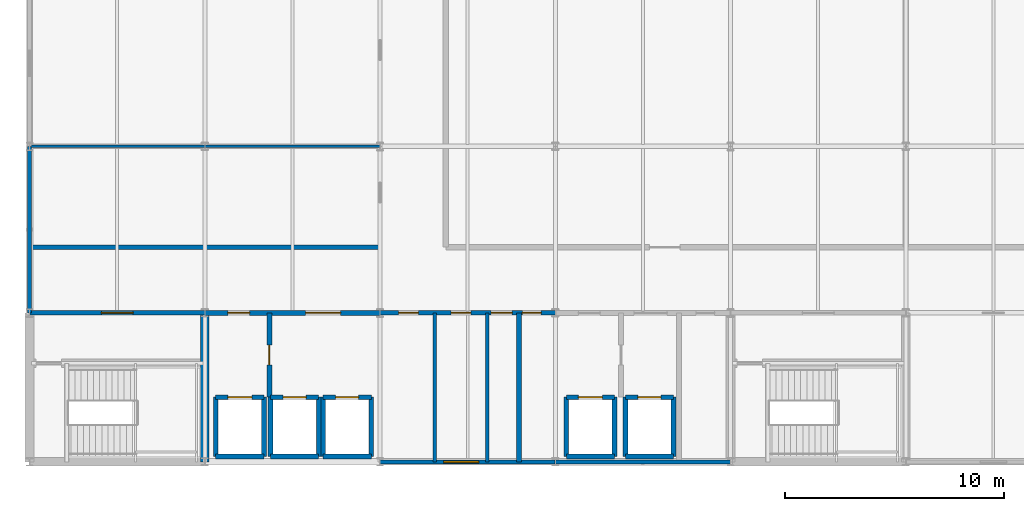
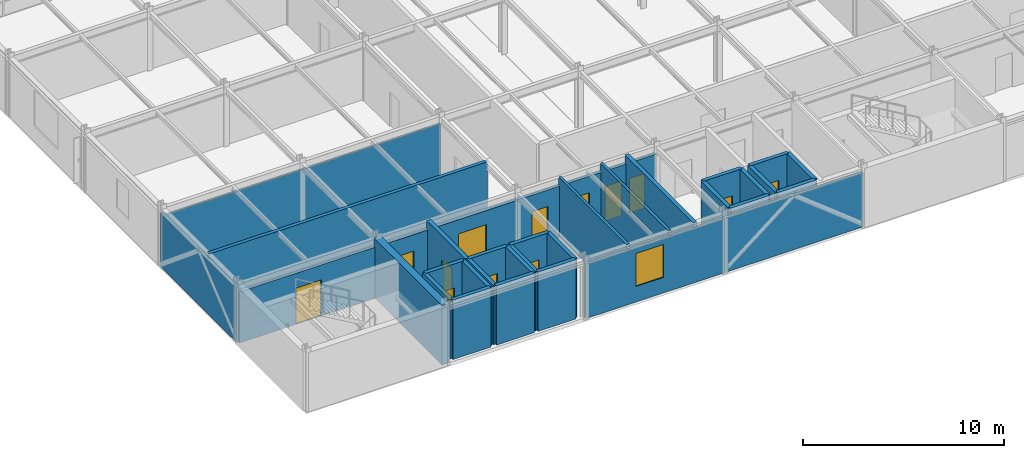
# One storey, part 11 of 15: 33 walls, 13 doors, 1 window, 14 openings.
"""IFC4 building model written with IfcOpenShell, lengths in metres."""

from ifc_helpers import new_model, si_unit, direction, frame, frame_2d, origin, place, context, subcontext, project, spatial, rectangle, extrude, material, layer, layer_set, type_object, element, fill, save


model = new_model("IFC4")

# Units and contexts
model_context = context("Model", 3, precision=1e-05, world=origin(), true_north=direction((0.0, 1.0)))
body_context = subcontext(model_context, "Body", "Model", "MODEL_VIEW")
ifc_project = project(units=[si_unit("LENGTHUNIT", "METRE"), si_unit("AREAUNIT", "SQUARE_METRE"), si_unit("VOLUMEUNIT", "CUBIC_METRE"), si_unit("PLANEANGLEUNIT", "RADIAN"), si_unit("MASSUNIT", "GRAM", prefix="KILO")], contexts=[model_context])

# Site, building, storey
site_placement = place(None, origin())
site = spatial("IfcSite", under=ifc_project, at=site_placement, CompositionType="ELEMENT")
building_placement = place(site_placement, origin())
building = spatial("IfcBuilding", under=site, at=building_placement, Name="Shalkamar Park Central Library", CompositionType="ELEMENT")
storey_placement = place(building_placement, frame((0.0, 0.0, 47.699951171875)))
storey = spatial("IfcBuildingStorey", under=building, at=storey_placement, Name="L12", CompositionType="ELEMENT", Elevation=47.699951171875)

# Wall, opening, door
ifc_material_1 = material(Name="Reinforced fire-compartment masonry wall", Category="masonry")
ifc_layer_1 = layer(ifc_material_1, 0.239990234375)
ifc_layer_set_1 = layer_set([ifc_layer_1], Name="CompartmentWall_240")
wall_type_1 = type_object("IfcWallType", Name="Compartment Wall 240", PredefinedType="PARTITIONING", material=ifc_layer_set_1)
wall_1_placement = place(storey_placement, frame((175.949951171875, 251.35009765625, 0.0), z_axis=(0.0, 0.0, 1.0), x_axis=(0.0, 1.0, 0.0)))
wall_1 = element("IfcWall", 1, at=wall_1_placement, inside=storey, type_object=wall_type_1, Name="Interior Partition WL-INT-L12-001", PredefinedType="PARTITIONING", context=body_context, shape_type="SweptSolid", body=[
    extrude(rectangle(XDim=3.849853515625, YDim=0.239990234375, at=frame_2d((1.9248046875, 0.0))), origin(), (0.0, 0.0, 1.0), 3.610107421875),
])
opening_1_placement = place(wall_1_placement, frame((1.47509765625, 0.0, 0.0)))
opening_1 = element("IfcOpeningElement", 2, at=opening_1_placement, cuts=wall_1, Name="Opening DR-L12-001", PredefinedType="OPENING", context=body_context, shape_type="SweptSolid", body=[
    extrude(rectangle(XDim=0.89990234375, YDim=2.10009765625, at=frame_2d((0.449951171875, 1.050048828125))), frame((0.0, 0.134765625, 0.0), z_axis=(0.0, -1.0, 0.0), x_axis=(1.0, 0.0, 0.0)), (0.0, 0.0, 1.0), 0.269775390625),
])
ifc_material_2 = material(Name="Steel S355", Category="steel")
door_type_1 = type_object("IfcDoorType", Name="Fire Door Single 900x2100", OperationType="NOTDEFINED", PredefinedType="DOOR", material=ifc_material_2)
door_1_placement = place(opening_1_placement, origin())
door_1 = element("IfcDoor", 3, at=door_1_placement, inside=storey, type_object=door_type_1, Name="Fire Lobby Interconnect Door", OperationType="SINGLE_SWING_LEFT", OverallHeight=2.10009765625, OverallWidth=0.89990234375, PredefinedType="DOOR", context=body_context, shape_type="SweptSolid", body=[
    extrude(rectangle(XDim=0.89990234375, YDim=2.10009765625, at=frame_2d((0.449951171875, 1.050048828125))), frame((0.0, 0.02490234375, 0.0), z_axis=(0.0, -1.0, 0.0), x_axis=(1.0, 0.0, 0.0)), (0.0, 0.0, 1.0), 0.050048828125),
])
fill(opening_1, door_1)

# Wall, openings, doors
wall_2_placement = place(storey_placement, frame((173.0, 255.199951171875, 0.0), z_axis=(0.0, 0.0, 1.0), x_axis=(1.0, 0.0, 0.0)))
wall_2 = element("IfcWall", 4, at=wall_2_placement, inside=storey, type_object=wall_type_1, Name="Interior Partition WL-INT-L12-007", PredefinedType="PARTITIONING", context=body_context, shape_type="SweptSolid", body=[
    extrude(rectangle(XDim=8.0, YDim=0.239990234375, at=frame_2d((4.0, 0.0))), origin(), (0.0, 0.0, 1.0), 3.108154296875),
])
opening_2_placement = place(wall_2_placement, frame((1.050048828125, 0.0, 0.0)))
opening_2 = element("IfcOpeningElement", 5, at=opening_2_placement, cuts=wall_2, Name="Opening DR-L12-003", PredefinedType="OPENING", context=body_context, shape_type="SweptSolid", body=[
    extrude(rectangle(XDim=1.0, YDim=2.10009765625, at=frame_2d((0.5, 1.050048828125))), frame((0.0, 0.134765625, 0.0), z_axis=(0.0, -1.0, 0.0), x_axis=(1.0, 0.0, 0.0)), (0.0, 0.0, 1.0), 0.269775390625),
])
opening_3_placement = place(wall_2_placement, frame((4.60009765625, 0.0, 0.0)))
opening_3 = element("IfcOpeningElement", 6, at=opening_3_placement, cuts=wall_2, Name="Opening DR-L12-004", PredefinedType="OPENING", context=body_context, shape_type="SweptSolid", body=[
    extrude(rectangle(XDim=1.60009765625, YDim=2.25, at=frame_2d((0.800048828125, 1.125))), frame((0.0, 0.134765625, 0.0), z_axis=(0.0, -1.0, 0.0), x_axis=(1.0, 0.0, 0.0)), (0.0, 0.0, 1.0), 0.269775390625),
])
door_type_2 = type_object("IfcDoorType", Name="Fire Door Single 1000x2100", OperationType="NOTDEFINED", PredefinedType="DOOR", material=ifc_material_2)
door_2_placement = place(opening_2_placement, origin())
door_2 = element("IfcDoor", 7, at=door_2_placement, inside=storey, type_object=door_type_2, Name="West Firefighting Lobby Door", OperationType="SINGLE_SWING_LEFT", OverallHeight=2.10009765625, OverallWidth=1.0, PredefinedType="DOOR", context=body_context, shape_type="SweptSolid", body=[
    extrude(rectangle(XDim=1.0, YDim=2.10009765625, at=frame_2d((0.5, 1.050048828125))), frame((0.0, 0.02490234375, 0.0), z_axis=(0.0, -1.0, 0.0), x_axis=(1.0, 0.0, 0.0)), (0.0, 0.0, 1.0), 0.050048828125),
])
fill(opening_2, door_2)
door_type_3 = type_object("IfcDoorType", Name="Interior Door Double 1600x2250", OperationType="DOUBLE_DOOR_SINGLE_SWING", PredefinedType="DOOR", material=ifc_material_2)
door_3_placement = place(opening_3_placement, frame((1.60009765625, 0.0, 0.0), z_axis=(0.0, 0.0, 1.0), x_axis=(-1.0, 0.0, 0.0)))
door_3 = element("IfcDoor", 8, at=door_3_placement, inside=storey, type_object=door_type_3, Name="West Lift Lobby Entrance", OperationType="DOUBLE_DOOR_SINGLE_SWING", OverallHeight=2.25, OverallWidth=1.60009765625, PredefinedType="DOOR", context=body_context, shape_type="SweptSolid", body=[
    extrude(rectangle(XDim=1.60009765625, YDim=2.25, at=frame_2d((0.800048828125, 1.125))), frame((0.0, 0.02490234375, 0.0), z_axis=(0.0, -1.0, 0.0), x_axis=(1.0, 0.0, 0.0)), (0.0, 0.0, 1.0), 0.050048828125),
])
fill(opening_3, door_3)

# Wall, opening, door
ifc_material_3 = material(Name="Fire-rated corridor partition wall", Category="masonry")
ifc_layer_2 = layer(ifc_material_3, 0.199951171875)
ifc_layer_set_2 = layer_set([ifc_layer_2], Name="CorridorFireWall_200")
wall_type_2 = type_object("IfcWallType", Name="Corridor Fire Wall 200", PredefinedType="PARTITIONING", material=ifc_layer_set_2)
wall_3_placement = place(storey_placement, frame((165.0, 255.199951171875, 0.0), z_axis=(0.0, 0.0, 1.0), x_axis=(1.0, 0.0, 0.0)))
wall_3 = element("IfcWall", 9, at=wall_3_placement, inside=storey, type_object=wall_type_2, Name="CORE-T1 Vestibule North Wall (L12)", PredefinedType="PARTITIONING", context=body_context, shape_type="SweptSolid", body=[
    extrude(rectangle(XDim=8.0, YDim=0.199951171875, at=frame_2d((4.0, 0.0))), origin(), (0.0, 0.0, 1.0), 3.108154296875),
])
opening_4_placement = place(wall_3_placement, frame((3.27490234375, 0.0, 0.0)))
opening_4 = element("IfcOpeningElement", 10, at=opening_4_placement, cuts=wall_3, Name="Opening DR-ST-T1-L12-VEST", PredefinedType="OPENING", context=body_context, shape_type="SweptSolid", body=[
    extrude(rectangle(XDim=1.449951171875, YDim=2.199951171875, at=frame_2d((0.72509765625, 1.10009765625))), frame((0.0, 0.11474609375, 0.0), z_axis=(0.0, -1.0, 0.0), x_axis=(1.0, 0.0, 0.0)), (0.0, 0.0, 1.0), 0.229736328125),
])
door_type_4 = type_object("IfcDoorType", Name="Stair Vestibule Door 1450x2200", OperationType="DOUBLE_DOOR_SINGLE_SWING", PredefinedType="DOOR", material=ifc_material_2)
door_4_placement = place(opening_4_placement, frame((1.449951171875, 0.0, 0.0), z_axis=(0.0, 0.0, 1.0), x_axis=(-1.0, 0.0, 0.0)))
door_4 = element("IfcDoor", 11, at=door_4_placement, inside=storey, type_object=door_type_4, Name="Protected Stair ST-T1 Vestibule Door (L12)", OperationType="DOUBLE_DOOR_SINGLE_SWING", OverallHeight=2.199951171875, OverallWidth=1.449951171875, PredefinedType="DOOR", context=body_context, shape_type="SweptSolid", body=[
    extrude(rectangle(XDim=1.449951171875, YDim=2.199951171875, at=frame_2d((0.72509765625, 1.10009765625))), frame((0.0, 0.02490234375, 0.0), z_axis=(0.0, -1.0, 0.0), x_axis=(1.0, 0.0, 0.0)), (0.0, 0.0, 1.0), 0.050048828125),
])
fill(opening_4, door_4)

# Wall, openings, doors
wall_4_placement = place(storey_placement, frame((181.0, 255.199951171875, 0.0), z_axis=(0.0, 0.0, 1.0), x_axis=(1.0, 0.0, 0.0)))
wall_4 = element("IfcWall", 12, at=wall_4_placement, inside=storey, type_object=wall_type_2, Name="Interior Partition WL-INT-L12-008", PredefinedType="PARTITIONING", context=body_context, shape_type="SweptSolid", body=[
    extrude(rectangle(XDim=8.0, YDim=0.199951171875, at=frame_2d((4.0, 0.0))), origin(), (0.0, 0.0, 1.0), 3.108154296875),
])
opening_5_placement = place(wall_4_placement, frame((0.85009765625, 0.0, 0.0)))
opening_5 = element("IfcOpeningElement", 13, at=opening_5_placement, cuts=wall_4, Name="Opening DR-L12-005", PredefinedType="OPENING", context=body_context, shape_type="SweptSolid", body=[
    extrude(rectangle(XDim=0.89990234375, YDim=2.10009765625, at=frame_2d((0.449951171875, 1.050048828125))), frame((0.0, 0.11474609375, 0.0), z_axis=(0.0, -1.0, 0.0), x_axis=(1.0, 0.0, 0.0)), (0.0, 0.0, 1.0), 0.229736328125),
])
opening_6_placement = place(wall_4_placement, frame((3.25, 0.0, 0.0)))
opening_6 = element("IfcOpeningElement", 14, at=opening_6_placement, cuts=wall_4, Name="Opening DR-L12-006", PredefinedType="OPENING", context=body_context, shape_type="SweptSolid", body=[
    extrude(rectangle(XDim=0.89990234375, YDim=2.10009765625, at=frame_2d((0.449951171875, 1.050048828125))), frame((0.0, 0.11474609375, 0.0), z_axis=(0.0, -1.0, 0.0), x_axis=(1.0, 0.0, 0.0)), (0.0, 0.0, 1.0), 0.229736328125),
])
opening_7_placement = place(wall_4_placement, frame((5.074951171875, 0.0, 0.0)))
opening_7 = element("IfcOpeningElement", 15, at=opening_7_placement, cuts=wall_4, Name="Opening DR-L12-007", PredefinedType="OPENING", context=body_context, shape_type="SweptSolid", body=[
    extrude(rectangle(XDim=0.949951171875, YDim=2.10009765625, at=frame_2d((0.47509765625, 1.050048828125))), frame((0.0, 0.11474609375, 0.0), z_axis=(0.0, -1.0, 0.0), x_axis=(1.0, 0.0, 0.0)), (0.0, 0.0, 1.0), 0.229736328125),
])
opening_8_placement = place(wall_4_placement, frame((6.5, 0.0, 0.0)))
opening_8 = element("IfcOpeningElement", 16, at=opening_8_placement, cuts=wall_4, Name="Opening DR-L12-008", PredefinedType="OPENING", context=body_context, shape_type="SweptSolid", body=[
    extrude(rectangle(XDim=0.85009765625, YDim=2.10009765625, at=frame_2d((0.425048828125, 1.050048828125))), frame((0.0, 0.11474609375, 0.0), z_axis=(0.0, -1.0, 0.0), x_axis=(1.0, 0.0, 0.0)), (0.0, 0.0, 1.0), 0.229736328125),
])
door_type_5 = type_object("IfcDoorType", Name="Fire Door Riser 850x2100", OperationType="NOTDEFINED", PredefinedType="DOOR", material=ifc_material_2)
door_5_placement = place(opening_8_placement, frame((0.85009765625, 0.0, 0.0), z_axis=(0.0, 0.0, 1.0), x_axis=(-1.0, 0.0, 0.0)))
door_5 = element("IfcDoor", 17, at=door_5_placement, inside=storey, type_object=door_type_5, Name="Electrical Riser Access Door", OperationType="SINGLE_SWING_LEFT", OverallHeight=2.10009765625, OverallWidth=0.85009765625, PredefinedType="DOOR", context=body_context, shape_type="SweptSolid", body=[
    extrude(rectangle(XDim=0.85009765625, YDim=2.10009765625, at=frame_2d((0.425048828125, 1.050048828125))), frame((0.0, 0.02490234375, 0.0), z_axis=(0.0, -1.0, 0.0), x_axis=(1.0, 0.0, 0.0)), (0.0, 0.0, 1.0), 0.050048828125),
])
fill(opening_8, door_5)
door_type_6 = type_object("IfcDoorType", Name="Interior Door Single 900x2100", OperationType="NOTDEFINED", PredefinedType="DOOR", material=ifc_material_2)
door_6_placement = place(opening_5_placement, frame((0.89990234375, 0.0, 0.0), z_axis=(0.0, 0.0, 1.0), x_axis=(-1.0, 0.0, 0.0)))
door_6 = element("IfcDoor", 18, at=door_6_placement, inside=storey, type_object=door_type_6, Name="Male WC Door", OperationType="SINGLE_SWING_RIGHT", OverallHeight=2.10009765625, OverallWidth=0.89990234375, PredefinedType="DOOR", context=body_context, shape_type="SweptSolid", body=[
    extrude(rectangle(XDim=0.89990234375, YDim=2.10009765625, at=frame_2d((0.449951171875, 1.050048828125))), frame((0.0, 0.02490234375, 0.0), z_axis=(0.0, -1.0, 0.0), x_axis=(1.0, 0.0, 0.0)), (0.0, 0.0, 1.0), 0.050048828125),
])
fill(opening_5, door_6)
door_7_placement = place(opening_6_placement, frame((0.89990234375, 0.0, 0.0), z_axis=(0.0, 0.0, 1.0), x_axis=(-1.0, 0.0, 0.0)))
door_7 = element("IfcDoor", 19, at=door_7_placement, inside=storey, type_object=door_type_6, Name="Female WC Door", OperationType="SINGLE_SWING_RIGHT", OverallHeight=2.10009765625, OverallWidth=0.89990234375, PredefinedType="DOOR", context=body_context, shape_type="SweptSolid", body=[
    extrude(rectangle(XDim=0.89990234375, YDim=2.10009765625, at=frame_2d((0.449951171875, 1.050048828125))), frame((0.0, 0.02490234375, 0.0), z_axis=(0.0, -1.0, 0.0), x_axis=(1.0, 0.0, 0.0)), (0.0, 0.0, 1.0), 0.050048828125),
])
fill(opening_6, door_7)
door_type_7 = type_object("IfcDoorType", Name="Interior Door Single 950x2100", OperationType="NOTDEFINED", PredefinedType="DOOR", material=ifc_material_2)
door_8_placement = place(opening_7_placement, frame((0.949951171875, 0.0, 0.0), z_axis=(0.0, 0.0, 1.0), x_axis=(-1.0, 0.0, 0.0)))
door_8 = element("IfcDoor", 20, at=door_8_placement, inside=storey, type_object=door_type_7, Name="Universal Accessible WC Door", OperationType="SINGLE_SWING_LEFT", OverallHeight=2.10009765625, OverallWidth=0.949951171875, PredefinedType="DOOR", context=body_context, shape_type="SweptSolid", body=[
    extrude(rectangle(XDim=0.949951171875, YDim=2.10009765625, at=frame_2d((0.47509765625, 1.050048828125))), frame((0.0, 0.02490234375, 0.0), z_axis=(0.0, -1.0, 0.0), x_axis=(1.0, 0.0, 0.0)), (0.0, 0.0, 1.0), 0.050048828125),
])
fill(opening_7, door_8)

# Walls
wall_5_placement = place(storey_placement, frame((165.0, 258.199951171875, 0.0), z_axis=(0.0, 0.0, 1.0), x_axis=(1.0, 0.0, 0.0)))
element("IfcWall", 21, at=wall_5_placement, inside=storey, type_object=wall_type_2, Name="Interior Partition WL-INT-L12-011", PredefinedType="PARTITIONING", context=body_context, shape_type="SweptSolid", body=[
    extrude(rectangle(XDim=16.0, YDim=0.199951171875, at=frame_2d((8.0, 0.0))), origin(), (0.0, 0.0, 1.0), 3.610107421875),
])
ifc_material_4 = material(Name="Concrete C40/50", Category="concrete")
ifc_layer_3 = layer(ifc_material_4, 0.219970703125)
ifc_layer_set_3 = layer_set([ifc_layer_3], Name="Concrete C40/50")
wall_type_3 = type_object("IfcWallType", Name="Lift Hoistway Shear Wall 220", PredefinedType="SHEAR", material=ifc_layer_set_3)
wall_6_placement = place(storey_placement, frame((173.5, 248.64990234375, 0.0), z_axis=(0.0, 0.0, 1.0), x_axis=(1.0, 0.0, 0.0)))
element("IfcWall", 22, at=wall_6_placement, inside=storey, type_object=wall_type_3, Name="Lift FFL-01 Hoistway South Wall (L12)", PredefinedType="SHEAR", context=body_context, shape_type="SweptSolid", body=[
    extrude(rectangle(XDim=2.199951171875, YDim=0.219970703125, at=frame_2d((1.10009765625, 0.0))), origin(), (0.0, 0.0, 1.0), 3.610107421875),
])
for number, where, z_axis, x_axis, name in (
    (23, (173.5, 248.64990234375, 0.0), (0.0, 0.0, 1.0), (0.0, 1.0, 0.0), "Lift FFL-01 Hoistway West Wall (L12)"),
    (24, (175.699951171875, 248.64990234375, 0.0), (0.0, 0.0, 1.0), (0.0, 1.0, 0.0), "Lift FFL-01 Hoistway East Wall (L12)"),
):
    element("IfcWall", number, at=place(storey_placement, frame(where, z_axis=z_axis, x_axis=x_axis)), inside=storey, type_object=wall_type_3, Name=name, PredefinedType="SHEAR", context=body_context, shape_type="SweptSolid", body=[
        extrude(rectangle(XDim=2.7001953125, YDim=0.219970703125, at=frame_2d((1.35009765625, 0.0))), origin(), (0.0, 0.0, 1.0), 3.610107421875),
    ])

# Wall, opening, door
wall_7_placement = place(storey_placement, frame((173.5, 251.35009765625, 0.0), z_axis=(0.0, 0.0, 1.0), x_axis=(1.0, 0.0, 0.0)))
wall_7 = element("IfcWall", 25, at=wall_7_placement, inside=storey, type_object=wall_type_3, Name="Lift FFL-01 Hoistway Front Wall (L12)", PredefinedType="SHEAR", context=body_context, shape_type="SweptSolid", body=[
    extrude(rectangle(XDim=2.199951171875, YDim=0.219970703125, at=frame_2d((1.10009765625, 0.0))), origin(), (0.0, 0.0, 1.0), 3.610107421875),
])
opening_9_placement = place(wall_7_placement, frame((0.550048828125, 0.0, 0.0)))
opening_9 = element("IfcOpeningElement", 26, at=opening_9_placement, cuts=wall_7, Name="Opening LD-FFL-01-L12", PredefinedType="OPENING", context=body_context, shape_type="SweptSolid", body=[
    extrude(rectangle(XDim=1.10009765625, YDim=2.14990234375, at=frame_2d((0.550048828125, 1.074951171875))), frame((0.0, 0.125, 0.0), z_axis=(0.0, -1.0, 0.0), x_axis=(1.0, 0.0, 0.0)), (0.0, 0.0, 1.0), 0.249755859375),
])
door_type_8 = type_object("IfcDoorType", Name="Fire Lift Landing Door 1100x2150", OperationType="DOUBLE_DOOR_SLIDING", PredefinedType="USERDEFINED", material=ifc_material_2)
door_9_placement = place(opening_9_placement, origin())
door_9 = element("IfcDoor", 27, at=door_9_placement, inside=storey, type_object=door_type_8, Name="Lift FFL-01 Sliding Landing Door (L12)", ObjectType="SLIDING LANDING DOOR", OperationType="DOUBLE_DOOR_SLIDING", OverallHeight=2.14990234375, OverallWidth=1.10009765625, PredefinedType="USERDEFINED", context=body_context, shape_type="SweptSolid", body=[
    extrude(rectangle(XDim=1.10009765625, YDim=2.14990234375, at=frame_2d((0.550048828125, 1.074951171875))), frame((0.0, 0.02490234375, 0.0), z_axis=(0.0, -1.0, 0.0), x_axis=(1.0, 0.0, 0.0)), (0.0, 0.0, 1.0), 0.050048828125),
])
fill(opening_9, door_9)

# Walls
wall_8_placement = place(storey_placement, frame((176.0, 248.64990234375, 0.0), z_axis=(0.0, 0.0, 1.0), x_axis=(1.0, 0.0, 0.0)))
element("IfcWall", 28, at=wall_8_placement, inside=storey, type_object=wall_type_3, Name="Lift LT-01 Hoistway South Wall (L12)", PredefinedType="SHEAR", context=body_context, shape_type="SweptSolid", body=[
    extrude(rectangle(XDim=2.199951171875, YDim=0.219970703125, at=frame_2d((1.10009765625, 0.0))), origin(), (0.0, 0.0, 1.0), 3.610107421875),
])
for number, where, z_axis, x_axis, name in (
    (29, (176.0, 248.64990234375, 0.0), (0.0, 0.0, 1.0), (0.0, 1.0, 0.0), "Lift LT-01 Hoistway West Wall (L12)"),
    (30, (178.199951171875, 248.64990234375, 0.0), (0.0, 0.0, 1.0), (0.0, 1.0, 0.0), "Lift LT-01 Hoistway East Wall (L12)"),
):
    element("IfcWall", number, at=place(storey_placement, frame(where, z_axis=z_axis, x_axis=x_axis)), inside=storey, type_object=wall_type_3, Name=name, PredefinedType="SHEAR", context=body_context, shape_type="SweptSolid", body=[
        extrude(rectangle(XDim=2.7001953125, YDim=0.219970703125, at=frame_2d((1.35009765625, 0.0))), origin(), (0.0, 0.0, 1.0), 3.610107421875),
    ])

# Wall, opening, door
wall_9_placement = place(storey_placement, frame((176.0, 251.35009765625, 0.0), z_axis=(0.0, 0.0, 1.0), x_axis=(1.0, 0.0, 0.0)))
wall_9 = element("IfcWall", 31, at=wall_9_placement, inside=storey, type_object=wall_type_3, Name="Lift LT-01 Hoistway Front Wall (L12)", PredefinedType="SHEAR", context=body_context, shape_type="SweptSolid", body=[
    extrude(rectangle(XDim=2.199951171875, YDim=0.219970703125, at=frame_2d((1.10009765625, 0.0))), origin(), (0.0, 0.0, 1.0), 3.610107421875),
])
opening_10_placement = place(wall_9_placement, frame((0.574951171875, 0.0, 0.0)))
opening_10 = element("IfcOpeningElement", 32, at=opening_10_placement, cuts=wall_9, Name="Opening LD-LT-01-L12", PredefinedType="OPENING", context=body_context, shape_type="SweptSolid", body=[
    extrude(rectangle(XDim=1.050048828125, YDim=2.14990234375, at=frame_2d((0.52490234375, 1.074951171875))), frame((0.0, 0.125, 0.0), z_axis=(0.0, -1.0, 0.0), x_axis=(1.0, 0.0, 0.0)), (0.0, 0.0, 1.0), 0.249755859375),
])
door_type_9 = type_object("IfcDoorType", Name="Passenger Lift Landing Door 1050x2150", OperationType="DOUBLE_DOOR_SLIDING", PredefinedType="USERDEFINED", material=ifc_material_2)
door_10_placement = place(opening_10_placement, origin())
door_10 = element("IfcDoor", 33, at=door_10_placement, inside=storey, type_object=door_type_9, Name="Lift LT-01 Sliding Landing Door (L12)", ObjectType="SLIDING LANDING DOOR", OperationType="DOUBLE_DOOR_SLIDING", OverallHeight=2.14990234375, OverallWidth=1.050048828125, PredefinedType="USERDEFINED", context=body_context, shape_type="SweptSolid", body=[
    extrude(rectangle(XDim=1.050048828125, YDim=2.14990234375, at=frame_2d((0.52490234375, 1.074951171875))), frame((0.0, 0.02490234375, 0.0), z_axis=(0.0, -1.0, 0.0), x_axis=(1.0, 0.0, 0.0)), (0.0, 0.0, 1.0), 0.050048828125),
])
fill(opening_10, door_10)

# Walls
wall_10_placement = place(storey_placement, frame((178.39990234375, 248.64990234375, 0.0), z_axis=(0.0, 0.0, 1.0), x_axis=(1.0, 0.0, 0.0)))
element("IfcWall", 34, at=wall_10_placement, inside=storey, type_object=wall_type_3, Name="Lift LT-02 Hoistway South Wall (L12)", PredefinedType="SHEAR", context=body_context, shape_type="SweptSolid", body=[
    extrude(rectangle(XDim=2.2001953125, YDim=0.219970703125, at=frame_2d((1.10009765625, 0.0))), origin(), (0.0, 0.0, 1.0), 3.610107421875),
])
for number, where, z_axis, x_axis, name in (
    (35, (178.39990234375, 248.64990234375, 0.0), (0.0, 0.0, 1.0), (0.0, 1.0, 0.0), "Lift LT-02 Hoistway West Wall (L12)"),
    (36, (180.60009765625, 248.64990234375, 0.0), (0.0, 0.0, 1.0), (0.0, 1.0, 0.0), "Lift LT-02 Hoistway East Wall (L12)"),
):
    element("IfcWall", number, at=place(storey_placement, frame(where, z_axis=z_axis, x_axis=x_axis)), inside=storey, type_object=wall_type_3, Name=name, PredefinedType="SHEAR", context=body_context, shape_type="SweptSolid", body=[
        extrude(rectangle(XDim=2.7001953125, YDim=0.219970703125, at=frame_2d((1.35009765625, 0.0))), origin(), (0.0, 0.0, 1.0), 3.610107421875),
    ])

# Wall, opening, door
wall_11_placement = place(storey_placement, frame((178.39990234375, 251.35009765625, 0.0), z_axis=(0.0, 0.0, 1.0), x_axis=(1.0, 0.0, 0.0)))
wall_11 = element("IfcWall", 37, at=wall_11_placement, inside=storey, type_object=wall_type_3, Name="Lift LT-02 Hoistway Front Wall (L12)", PredefinedType="SHEAR", context=body_context, shape_type="SweptSolid", body=[
    extrude(rectangle(XDim=2.2001953125, YDim=0.219970703125, at=frame_2d((1.10009765625, 0.0))), origin(), (0.0, 0.0, 1.0), 3.610107421875),
])
opening_11_placement = place(wall_11_placement, frame((0.574951171875, 0.0, 0.0)))
opening_11 = element("IfcOpeningElement", 38, at=opening_11_placement, cuts=wall_11, Name="Opening LD-LT-02-L12", PredefinedType="OPENING", context=body_context, shape_type="SweptSolid", body=[
    extrude(rectangle(XDim=1.050048828125, YDim=2.14990234375, at=frame_2d((0.52490234375, 1.074951171875))), frame((0.0, 0.125, 0.0), z_axis=(0.0, -1.0, 0.0), x_axis=(1.0, 0.0, 0.0)), (0.0, 0.0, 1.0), 0.249755859375),
])
door_11_placement = place(opening_11_placement, origin())
door_11 = element("IfcDoor", 39, at=door_11_placement, inside=storey, type_object=door_type_9, Name="Lift LT-02 Sliding Landing Door (L12)", ObjectType="SLIDING LANDING DOOR", OperationType="DOUBLE_DOOR_SLIDING", OverallHeight=2.14990234375, OverallWidth=1.050048828125, PredefinedType="USERDEFINED", context=body_context, shape_type="SweptSolid", body=[
    extrude(rectangle(XDim=1.050048828125, YDim=2.14990234375, at=frame_2d((0.52490234375, 1.074951171875))), frame((0.0, 0.02490234375, 0.0), z_axis=(0.0, -1.0, 0.0), x_axis=(1.0, 0.0, 0.0)), (0.0, 0.0, 1.0), 0.050048828125),
])
fill(opening_11, door_11)

# Walls
wall_12_placement = place(storey_placement, frame((189.5, 248.64990234375, 0.0), z_axis=(0.0, 0.0, 1.0), x_axis=(1.0, 0.0, 0.0)))
element("IfcWall", 40, at=wall_12_placement, inside=storey, type_object=wall_type_3, Name="Lift FFL-02 Hoistway South Wall (L12)", PredefinedType="SHEAR", context=body_context, shape_type="SweptSolid", body=[
    extrude(rectangle(XDim=2.199951171875, YDim=0.219970703125, at=frame_2d((1.10009765625, 0.0))), origin(), (0.0, 0.0, 1.0), 3.610107421875),
])
for number, where, z_axis, x_axis, name in (
    (41, (189.5, 248.64990234375, 0.0), (0.0, 0.0, 1.0), (0.0, 1.0, 0.0), "Lift FFL-02 Hoistway West Wall (L12)"),
    (42, (191.699951171875, 248.64990234375, 0.0), (0.0, 0.0, 1.0), (0.0, 1.0, 0.0), "Lift FFL-02 Hoistway East Wall (L12)"),
):
    element("IfcWall", number, at=place(storey_placement, frame(where, z_axis=z_axis, x_axis=x_axis)), inside=storey, type_object=wall_type_3, Name=name, PredefinedType="SHEAR", context=body_context, shape_type="SweptSolid", body=[
        extrude(rectangle(XDim=2.7001953125, YDim=0.219970703125, at=frame_2d((1.35009765625, 0.0))), origin(), (0.0, 0.0, 1.0), 3.610107421875),
    ])

# Wall, opening, door
wall_13_placement = place(storey_placement, frame((189.5, 251.35009765625, 0.0), z_axis=(0.0, 0.0, 1.0), x_axis=(1.0, 0.0, 0.0)))
wall_13 = element("IfcWall", 43, at=wall_13_placement, inside=storey, type_object=wall_type_3, Name="Lift FFL-02 Hoistway Front Wall (L12)", PredefinedType="SHEAR", context=body_context, shape_type="SweptSolid", body=[
    extrude(rectangle(XDim=2.199951171875, YDim=0.219970703125, at=frame_2d((1.10009765625, 0.0))), origin(), (0.0, 0.0, 1.0), 3.610107421875),
])
opening_12_placement = place(wall_13_placement, frame((0.550048828125, 0.0, 0.0)))
opening_12 = element("IfcOpeningElement", 44, at=opening_12_placement, cuts=wall_13, Name="Opening LD-FFL-02-L12", PredefinedType="OPENING", context=body_context, shape_type="SweptSolid", body=[
    extrude(rectangle(XDim=1.10009765625, YDim=2.14990234375, at=frame_2d((0.550048828125, 1.074951171875))), frame((0.0, 0.125, 0.0), z_axis=(0.0, -1.0, 0.0), x_axis=(1.0, 0.0, 0.0)), (0.0, 0.0, 1.0), 0.249755859375),
])
door_12_placement = place(opening_12_placement, origin())
door_12 = element("IfcDoor", 45, at=door_12_placement, inside=storey, type_object=door_type_8, Name="Lift FFL-02 Sliding Landing Door (L12)", ObjectType="SLIDING LANDING DOOR", OperationType="DOUBLE_DOOR_SLIDING", OverallHeight=2.14990234375, OverallWidth=1.10009765625, PredefinedType="USERDEFINED", context=body_context, shape_type="SweptSolid", body=[
    extrude(rectangle(XDim=1.10009765625, YDim=2.14990234375, at=frame_2d((0.550048828125, 1.074951171875))), frame((0.0, 0.02490234375, 0.0), z_axis=(0.0, -1.0, 0.0), x_axis=(1.0, 0.0, 0.0)), (0.0, 0.0, 1.0), 0.050048828125),
])
fill(opening_12, door_12)

# Walls
wall_14_placement = place(storey_placement, frame((192.199951171875, 248.64990234375, 0.0), z_axis=(0.0, 0.0, 1.0), x_axis=(1.0, 0.0, 0.0)))
element("IfcWall", 46, at=wall_14_placement, inside=storey, type_object=wall_type_3, Name="Lift LT-03 Hoistway South Wall (L12)", PredefinedType="SHEAR", context=body_context, shape_type="SweptSolid", body=[
    extrude(rectangle(XDim=2.199951171875, YDim=0.219970703125, at=frame_2d((1.10009765625, 0.0))), origin(), (0.0, 0.0, 1.0), 3.610107421875),
])
for number, where, z_axis, x_axis, name in (
    (47, (192.199951171875, 248.64990234375, 0.0), (0.0, 0.0, 1.0), (0.0, 1.0, 0.0), "Lift LT-03 Hoistway West Wall (L12)"),
    (48, (194.39990234375, 248.64990234375, 0.0), (0.0, 0.0, 1.0), (0.0, 1.0, 0.0), "Lift LT-03 Hoistway East Wall (L12)"),
):
    element("IfcWall", number, at=place(storey_placement, frame(where, z_axis=z_axis, x_axis=x_axis)), inside=storey, type_object=wall_type_3, Name=name, PredefinedType="SHEAR", context=body_context, shape_type="SweptSolid", body=[
        extrude(rectangle(XDim=2.7001953125, YDim=0.219970703125, at=frame_2d((1.35009765625, 0.0))), origin(), (0.0, 0.0, 1.0), 3.610107421875),
    ])

# Wall, opening, door
wall_15_placement = place(storey_placement, frame((192.199951171875, 251.35009765625, 0.0), z_axis=(0.0, 0.0, 1.0), x_axis=(1.0, 0.0, 0.0)))
wall_15 = element("IfcWall", 49, at=wall_15_placement, inside=storey, type_object=wall_type_3, Name="Lift LT-03 Hoistway Front Wall (L12)", PredefinedType="SHEAR", context=body_context, shape_type="SweptSolid", body=[
    extrude(rectangle(XDim=2.199951171875, YDim=0.219970703125, at=frame_2d((1.10009765625, 0.0))), origin(), (0.0, 0.0, 1.0), 3.610107421875),
])
opening_13_placement = place(wall_15_placement, frame((0.574951171875, 0.0, 0.0)))
opening_13 = element("IfcOpeningElement", 50, at=opening_13_placement, cuts=wall_15, Name="Opening LD-LT-03-L12", PredefinedType="OPENING", context=body_context, shape_type="SweptSolid", body=[
    extrude(rectangle(XDim=1.050048828125, YDim=2.14990234375, at=frame_2d((0.52490234375, 1.074951171875))), frame((0.0, 0.125, 0.0), z_axis=(0.0, -1.0, 0.0), x_axis=(1.0, 0.0, 0.0)), (0.0, 0.0, 1.0), 0.249755859375),
])
door_13_placement = place(opening_13_placement, origin())
door_13 = element("IfcDoor", 51, at=door_13_placement, inside=storey, type_object=door_type_9, Name="Lift LT-03 Sliding Landing Door (L12)", ObjectType="SLIDING LANDING DOOR", OperationType="DOUBLE_DOOR_SLIDING", OverallHeight=2.14990234375, OverallWidth=1.050048828125, PredefinedType="USERDEFINED", context=body_context, shape_type="SweptSolid", body=[
    extrude(rectangle(XDim=1.050048828125, YDim=2.14990234375, at=frame_2d((0.52490234375, 1.074951171875))), frame((0.0, 0.02490234375, 0.0), z_axis=(0.0, -1.0, 0.0), x_axis=(1.0, 0.0, 0.0)), (0.0, 0.0, 1.0), 0.050048828125),
])
fill(opening_13, door_13)

# Walls
ifc_material_5 = material(Name="Moisture-resistant sanitary partition", Category="masonry")
ifc_layer_4 = layer(ifc_material_5, 0.159912109375)
ifc_layer_set_4 = layer_set([ifc_layer_4], Name="PlumbingChaseWall_160")
wall_type_4 = type_object("IfcWallType", Name="Plumbing Chase Wall 160", PredefinedType="PARTITIONING", material=ifc_layer_set_4)
for number, where, z_axis, x_axis, name in (
    (52, (183.5, 248.39990234375, 0.0), (0.0, 0.0, 1.0), (0.0, 1.0, 0.0), "Interior Partition WL-INT-L12-004"),
    (53, (185.89990234375, 248.39990234375, 0.0), (0.0, 0.0, 1.0), (0.0, 1.0, 0.0), "Interior Partition WL-INT-L12-005"),
):
    element("IfcWall", number, at=place(storey_placement, frame(where, z_axis=z_axis, x_axis=x_axis)), inside=storey, type_object=wall_type_4, Name=name, PredefinedType="PARTITIONING", context=body_context, shape_type="SweptSolid", body=[
        extrude(rectangle(XDim=6.800048828125, YDim=0.159912109375, at=frame_2d((3.39990234375, 0.0))), origin(), (0.0, 0.0, 1.0), 3.610107421875),
    ])
ifc_material_6 = material(Name="Fire-rated shaft enclosure wall", Category="masonry")
ifc_layer_5 = layer(ifc_material_6, 0.219970703125)
ifc_layer_set_5 = layer_set([ifc_layer_5], Name="ShaftWall_220")
wall_type_5 = type_object("IfcWallType", Name="Shaft Wall 220", PredefinedType="PARTITIONING", material=ifc_layer_set_5)
wall_16_placement = place(storey_placement, frame((187.35009765625, 248.39990234375, 0.0), z_axis=(0.0, 0.0, 1.0), x_axis=(0.0, 1.0, 0.0)))
element("IfcWall", 54, at=wall_16_placement, inside=storey, type_object=wall_type_5, Name="Interior Partition WL-INT-L12-006", PredefinedType="PARTITIONING", context=body_context, shape_type="SweptSolid", body=[
    extrude(rectangle(XDim=6.800048828125, YDim=0.219970703125, at=frame_2d((3.39990234375, 0.0))), origin(), (0.0, 0.0, 1.0), 3.610107421875),
])
ifc_material_7 = material(Name="Lightweight acoustic stud partition", Category="masonry")
ifc_layer_6 = layer(ifc_material_7, 0.1201171875)
ifc_layer_set_6 = layer_set([ifc_layer_6], Name="StandardPartition_120")
wall_type_6 = type_object("IfcWallType", Name="Standard Partition 120", PredefinedType="PARTITIONING", material=ifc_layer_set_6)
wall_17_placement = place(storey_placement, frame((165.0, 262.800048828125, 0.0), z_axis=(0.0, 0.0, 1.0), x_axis=(1.0, 0.0, 0.0)))
element("IfcWall", 55, at=wall_17_placement, inside=storey, type_object=wall_type_6, Name="Interior Partition WL-INT-L12-013", PredefinedType="PARTITIONING", context=body_context, shape_type="SweptSolid", body=[
    extrude(rectangle(XDim=16.0, YDim=0.1201171875, at=frame_2d((8.0, 0.0))), origin(), (0.0, 0.0, 1.0), 3.108154296875),
])
ifc_layer_7 = layer(ifc_material_4, 0.39990234375)
ifc_layer_set_7 = layer_set([ifc_layer_7], Name="Concrete C40/50")
wall_type_7 = type_object("IfcWallType", Name="Tower Core Shear Wall 400", PredefinedType="SHEAR", material=ifc_layer_set_7)
wall_18_placement = place(storey_placement, frame((173.0, 248.39990234375, 0.0), z_axis=(0.0, 0.0, 1.0), x_axis=(0.0, 1.0, 0.0)))
element("IfcWall", 56, at=wall_18_placement, inside=storey, type_object=wall_type_7, Name="CORE-T1 East Shear Wall (L12)", PredefinedType="SHEAR", context=body_context, shape_type="SweptSolid", body=[
    extrude(rectangle(XDim=6.800048828125, YDim=0.39990234375, at=frame_2d((3.39990234375, 0.0))), origin(), (0.0, 0.0, 1.0), 3.610107421875),
])

# Wall, opening, window
ifc_material_8 = material(Name="Terracotta insulated wall panel", Category="masonry")
ifc_layer_8 = layer(ifc_material_8, 0.179931640625)
ifc_layer_set_8 = layer_set([ifc_layer_8], Name="TowerSpandrelWall_180")
wall_type_8 = type_object("IfcWallType", Name="Tower Spandrel Wall 180", PredefinedType="SOLIDWALL", material=ifc_layer_set_8)
wall_19_placement = place(storey_placement, frame((181.006103515625, 248.39990234375, 0.0), z_axis=(0.0, 0.0, 1.0), x_axis=(1.0, 0.0, 0.0)))
wall_19 = element("IfcWall", 57, at=wall_19_placement, inside=storey, type_object=wall_type_8, Name="Exterior Facade Wall WL-EXT-L12-223", PredefinedType="SOLIDWALL", context=body_context, shape_type="SweptSolid", body=[
    extrude(rectangle(XDim=7.98779296875, YDim=0.179931640625, at=frame_2d((3.993896484375, 0.0))), origin(), (0.0, 0.0, 1.0), 3.298095703125),
])
opening_14_placement = place(wall_19_placement, frame((2.89404296875, 0.0, 0.949951171875)))
opening_14 = element("IfcOpeningElement", 58, at=opening_14_placement, cuts=wall_19, Name="Opening WN-13", PredefinedType="OPENING", context=body_context, shape_type="SweptSolid", body=[
    extrude(rectangle(XDim=1.60009765625, YDim=2.0, at=frame_2d((0.800048828125, 1.0))), frame((0.0, 0.10498046875, 0.0), z_axis=(0.0, -1.0, 0.0), x_axis=(1.0, 0.0, 0.0)), (0.0, 0.0, 1.0), 0.209716796875),
])
ifc_material_9 = material(Name="Thermally broken aluminium and triple low-e glass", Category="glass")
window_type = type_object("IfcWindowType", Name="Tower Window 1600x2000", PartitioningType="SINGLE_PANEL", PredefinedType="WINDOW", material=ifc_material_9)
window_placement = place(opening_14_placement, origin())
window = element("IfcWindow", 59, at=window_placement, inside=storey, type_object=window_type, Name="Facade Window WN-L12-162", OverallHeight=2.0, OverallWidth=1.60009765625, PartitioningType="SINGLE_PANEL", PredefinedType="WINDOW", context=body_context, shape_type="SweptSolid", body=[
    extrude(rectangle(XDim=1.60009765625, YDim=2.0, at=frame_2d((0.800048828125, 1.0))), frame((0.0, 0.030029296875, 0.0), z_axis=(0.0, -1.0, 0.0), x_axis=(1.0, 0.0, 0.0)), (0.0, 0.0, 1.0), 0.06005859375),
])
fill(opening_14, window)

# Walls
wall_20_placement = place(storey_placement, frame((189.006103515625, 248.39990234375, 0.0), z_axis=(0.0, 0.0, 1.0), x_axis=(1.0, 0.0, 0.0)))
element("IfcWall", 60, at=wall_20_placement, inside=storey, type_object=wall_type_8, Name="Exterior Facade Wall WL-EXT-L12-224", PredefinedType="SOLIDWALL", context=body_context, shape_type="SweptSolid", body=[
    extrude(rectangle(XDim=7.98779296875, YDim=0.179931640625, at=frame_2d((3.993896484375, 0.0))), origin(), (0.0, 0.0, 1.0), 3.298095703125),
])
wall_21_placement = place(storey_placement, frame((165.0, 255.2060546875, 0.0), z_axis=(0.0, 0.0, 1.0), x_axis=(0.0, 1.0, 0.0)))
element("IfcWall", 61, at=wall_21_placement, inside=storey, type_object=wall_type_8, Name="Exterior Facade Wall WL-EXT-L12-227", PredefinedType="SOLIDWALL", context=body_context, shape_type="SweptSolid", body=[
    extrude(rectangle(XDim=7.587890625, YDim=0.179931640625, at=frame_2d((3.7939453125, 0.0))), origin(), (0.0, 0.0, 1.0), 3.338134765625),
])

save(model, "model.ifc")
